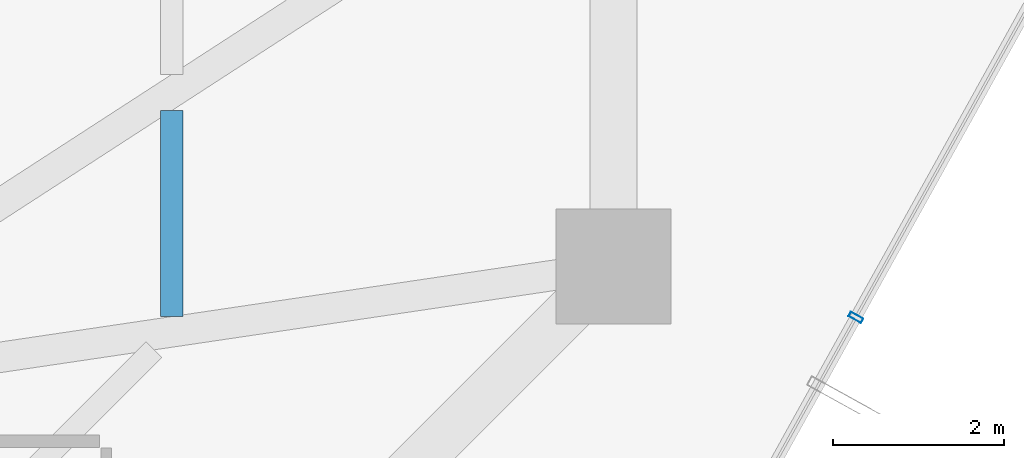
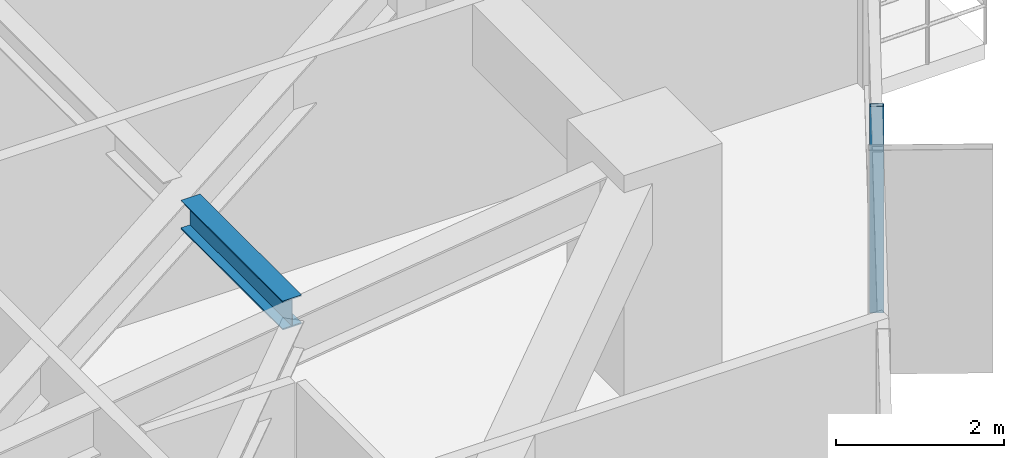
# One storey, part 18 of 39: 1 beam, 1 member, 1 element without a shape of its own.
"""IFC4 building model written with IfcOpenShell, lengths in metres."""

from ifc_helpers import new_model, si_unit, direction, frame, origin, origin_2d, place, context, subcontext, project, spatial, hollow_rectangle, i_section, extrude, source, transform, mapped, material, layer, layer_set, material_profile, profile_set, type_object, element, aggregate, save


model = new_model("IFC4")

# Units and contexts
model_context = context("Model", 3, precision=1e-05, world=origin(), true_north=direction((0.0, 1.0)))
body_context = subcontext(model_context, "Body", "Model", "MODEL_VIEW")
ifc_project = project(units=[si_unit("LENGTHUNIT", "METRE"), si_unit("AREAUNIT", "SQUARE_METRE"), si_unit("VOLUMEUNIT", "CUBIC_METRE"), si_unit("PLANEANGLEUNIT", "RADIAN"), si_unit("MASSUNIT", "GRAM", prefix="KILO")], contexts=[model_context])

# Site, building, storey
site_placement = place(None, origin())
site = spatial("IfcSite", under=ifc_project, at=site_placement, CompositionType="ELEMENT")
building_placement = place(site_placement, origin())
building = spatial("IfcBuilding", under=site, at=building_placement, Name="Veraguas Prism Commons", CompositionType="ELEMENT")
storey_placement = place(building_placement, frame((0.0, 0.0, 27.300048828125)))
storey = spatial("IfcBuildingStorey", under=building, at=storey_placement, Name="L06", CompositionType="ELEMENT", Elevation=27.300048828125)

# Beam
ifc_material_1 = material(Name="Steel ASTM A992 Grade 50", Category="steel")
ifc_material_profile_1 = material_profile(ifc_material_1, i_section(OverallWidth=0.260986328125, OverallDepth=0.419921875, WebThickness=0.01171875, FlangeThickness=0.019287109375, at=origin_2d()), Name="W410X114")
ifc_profile_set_1 = profile_set([ifc_material_profile_1], Name="Steel ASTM A992 Grade 50")
beam_type = type_object("IfcBeamType", Name="Lower Floor Joist W410x114", PredefinedType="JOIST", material=ifc_profile_set_1)
beam_placement = place(storey_placement, frame((36.416015625, 18.010009765625, 2.7900390625), z_axis=(0.0, 1.0, 0.0), x_axis=(-1.0, 0.0, 0.0)))
element("IfcBeam", 1, at=beam_placement, inside=storey, type_object=beam_type, Name="Composite Floor Joist L06-JS01", PredefinedType="JOIST", context=body_context, shape_type="SweptSolid", body=[
    extrude(i_section(OverallWidth=0.260986328125, OverallDepth=0.419921875, WebThickness=0.01171875, FlangeThickness=0.019287109375, at=origin_2d()), origin(), (0.0, 0.0, 1.0), 2.42041015625),
])

# Curtain wall, member
ifc_material_2 = material(Name="Anodised aluminium EN AW-6063 T6", Category="aluminium")
ifc_layer = layer(ifc_material_2, 0.169921875, Name="Unitised Flush Curtain Wall Zone 1", Category="aluminium")
ifc_layer_set = layer_set([ifc_layer], Name="Anodised aluminium EN AW-6063 T6")
curtain_wall_type = type_object("IfcCurtainWallType", Name="Unitised Flush Curtain Wall Zone 1", PredefinedType="NOTDEFINED", material=ifc_layer_set)
curtain_wall_placement = place(storey_placement, origin())
curtain_wall = element("IfcCurtainWall", 2, at=curtain_wall_placement, inside=storey, type_object=curtain_wall_type, Name="Tower Facade Curtain Wall L06-F6", PredefinedType="NOTDEFINED")
ifc_material_profile_2 = material_profile(ifc_material_2, hollow_rectangle(XDim=0.06005859375, YDim=0.169921875, WallThickness=0.00390625, at=origin_2d()), Name="AL60X170X4")
ifc_profile_set_2 = profile_set([ifc_material_profile_2], Name="Anodised aluminium EN AW-6063 T6")
member_type = type_object("IfcMemberType", Name="Curtain Wall Mullion Lower AL 60x170x4", PredefinedType="MULLION", material=ifc_profile_set_2)
shared_shape = source(origin(), body_context, "Body", "SweptSolid", [
    extrude(hollow_rectangle(XDim=0.06005859375, YDim=0.169921875, WallThickness=0.00390625, at=origin_2d()), origin(), (0.0, 0.0, 1.0), 3.0),
])
member_placement = place(storey_placement, frame((44.441162109375, 18.001708984375, 0.0), z_axis=(0.0, 0.0, 1.0), x_axis=(0.485116416779, 0.874449576689, 0.0)))
member = element("IfcMember", 3, at=member_placement, type_object=member_type, Name="CW-Z1 Mullion 4", PredefinedType="MULLION", context=body_context, shape_type="MappedRepresentation", body=[
    mapped(shared_shape, transform((0.0, 0.0, 0.0), scale=1.0)),
])
aggregate(curtain_wall, [member])

save(model, "model.ifc")
